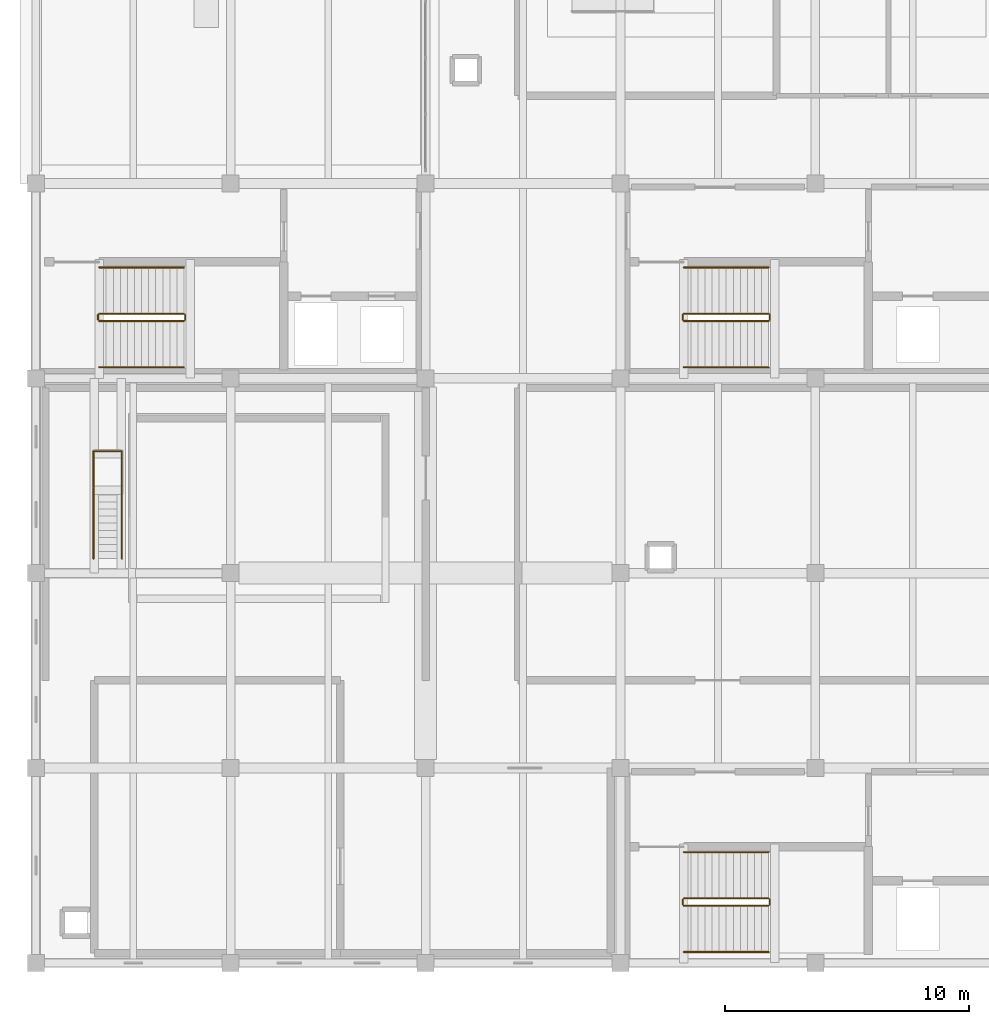
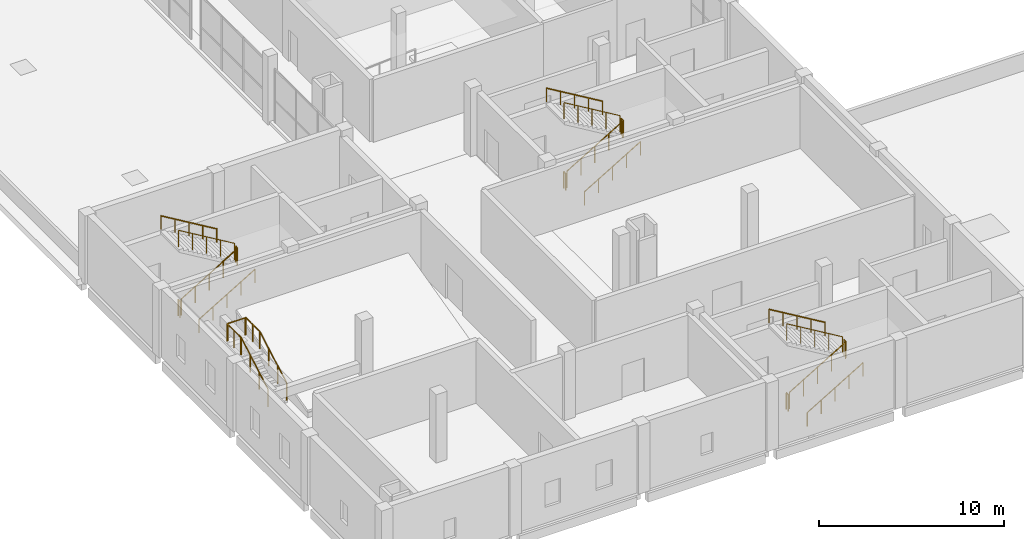
# One storey, part 13 of 14: 23 railings.
"""IFC4 building model written with IfcOpenShell, lengths in metres."""

from ifc_helpers import new_model, si_unit, direction, frame, origin, origin_2d, place, context, subcontext, project, spatial, circle, extrude, material, type_object, element, save


model = new_model("IFC4")

# Units and contexts
model_context = context("Model", 3, precision=1e-05, world=origin(), true_north=direction((0.0, 1.0)))
body_context = subcontext(model_context, "Body", "Model", "MODEL_VIEW")
ifc_project = project(units=[si_unit("LENGTHUNIT", "METRE"), si_unit("AREAUNIT", "SQUARE_METRE"), si_unit("VOLUMEUNIT", "CUBIC_METRE"), si_unit("PLANEANGLEUNIT", "RADIAN"), si_unit("MASSUNIT", "GRAM", prefix="KILO")], contexts=[model_context])

# Site, building, storey
site_placement = place(None, origin())
site = spatial("IfcSite", under=ifc_project, at=site_placement, CompositionType="ELEMENT")
building_placement = place(site_placement, origin())
building = spatial("IfcBuilding", under=site, at=building_placement, Name="Qorikala Patio Media Centre", CompositionType="ELEMENT")
storey_placement = place(building_placement, frame((0.0, 0.0, 23.39990234375)))
storey = spatial("IfcBuildingStorey", under=building, at=storey_placement, Name="L05", CompositionType="ELEMENT", Elevation=23.39990234375)

# Railings
ifc_material_1 = material(Name="Wrought Bronze and Steel S355", Category="steel")
railing_type_1 = type_object("IfcRailingType", Name="RL-GUARD-110", PredefinedType="GUARDRAIL", material=ifc_material_1)
railing_1_placement = place(storey_placement, frame((29.60009765625, 5.35009765625, 0.173095703125)))
element("IfcRailing", 1, at=railing_1_placement, inside=storey, type_object=railing_type_1, Name="L05 ST-1 stair guard 1", PredefinedType="GUARDRAIL", context=body_context, shape_type="SweptSolid", body=[
    extrude(circle(Radius=0.02392578125, at=origin_2d()), frame((0.0, 0.0, 1.076171875), z_axis=(0.858697190188, 0.0, 0.512483302717), x_axis=(0.0, 1.0, 0.0)), (0.0, 0.0, 1.0), 4.052734375),
    extrude(circle(Radius=0.02099609375, at=origin_2d()), origin(), (0.0, 0.0, 1.0), 1.052001953125),
    extrude(circle(Radius=0.02099609375, at=origin_2d()), frame((0.8701171875, 0.0, 0.519287109375)), (0.0, 0.0, 1.0), 1.052001953125),
    extrude(circle(Radius=0.02099609375, at=origin_2d()), frame((1.739990234375, 0.0, 1.03857421875)), (0.0, 0.0, 1.0), 1.052001953125),
    extrude(circle(Radius=0.02099609375, at=origin_2d()), frame((2.60986328125, 0.0, 1.5576171875)), (0.0, 0.0, 1.0), 1.052001953125),
    extrude(circle(Radius=0.02099609375, at=origin_2d()), frame((3.47998046875, 0.0, 2.076904296875)), (0.0, 0.0, 1.0), 1.052001953125),
])
railing_2_placement = place(storey_placement, frame((33.1298828125, 5.39990234375, 2.25)))
element("IfcRailing", 2, at=railing_2_placement, inside=storey, type_object=railing_type_1, Name="L05 ST-1 stair guard 2", PredefinedType="GUARDRAIL", context=body_context, shape_type="SweptSolid", body=[
    extrude(circle(Radius=0.02392578125, at=origin_2d()), frame((0.0, 0.0, 1.076171875), z_axis=(0.0, 1.0, 0.0), x_axis=(-1.0, 0.0, 0.0)), (0.0, 0.0, 1.0), 0.2001953125),
    extrude(circle(Radius=0.02099609375, at=origin_2d()), origin(), (0.0, 0.0, 1.0), 1.052001953125),
    extrude(circle(Radius=0.02099609375, at=origin_2d()), frame((0.0, 0.2001953125, 0.0)), (0.0, 0.0, 1.0), 1.052001953125),
])
railing_3_placement = place(storey_placement, frame((33.080078125, 5.64990234375, 2.423095703125)))
element("IfcRailing", 3, at=railing_3_placement, inside=storey, type_object=railing_type_1, Name="L05 ST-1 stair guard 3", PredefinedType="GUARDRAIL", context=body_context, shape_type="SweptSolid", body=[
    extrude(circle(Radius=0.02392578125, at=origin_2d()), frame((0.0, 0.0, 1.076171875), z_axis=(-0.858697190188, 0.0, 0.512483302717), x_axis=(0.0, -1.0, 0.0)), (0.0, 0.0, 1.0), 4.052734375),
    extrude(circle(Radius=0.02099609375, at=origin_2d()), origin(), (0.0, 0.0, 1.0), 1.052001953125),
    extrude(circle(Radius=0.02099609375, at=origin_2d()), frame((-0.8701171875, 0.0, 0.519287109375)), (0.0, 0.0, 1.0), 1.052001953125),
    extrude(circle(Radius=0.02099609375, at=origin_2d()), frame((-1.739990234375, 0.0, 1.03857421875)), (0.0, 0.0, 1.0), 1.052001953125),
    extrude(circle(Radius=0.02099609375, at=origin_2d()), frame((-2.60986328125, 0.0, 1.5576171875)), (0.0, 0.0, 1.0), 1.052001953125),
    extrude(circle(Radius=0.02099609375, at=origin_2d()), frame((-3.47998046875, 0.0, 2.076904296875)), (0.0, 0.0, 1.0), 1.052001953125),
])
railing_4_placement = place(storey_placement, frame((29.550048828125, 5.39990234375, 0.0)))
element("IfcRailing", 4, at=railing_4_placement, inside=storey, type_object=railing_type_1, Name="L05 ST-1 stair guard 4", PredefinedType="GUARDRAIL", context=body_context, shape_type="SweptSolid", body=[
    extrude(circle(Radius=0.02392578125, at=origin_2d()), frame((0.0, 0.0, 1.076171875), z_axis=(0.0, 1.0, 0.0), x_axis=(-1.0, 0.0, 0.0)), (0.0, 0.0, 1.0), 0.2001953125),
    extrude(circle(Radius=0.02099609375, at=origin_2d()), origin(), (0.0, 0.0, 1.0), 1.052001953125),
    extrude(circle(Radius=0.02099609375, at=origin_2d()), frame((0.0, 0.2001953125, 0.0)), (0.0, 0.0, 1.0), 1.052001953125),
])
railing_5_placement = place(storey_placement, frame((5.60009765625, 29.35009765625, 0.173095703125)))
element("IfcRailing", 5, at=railing_5_placement, inside=storey, type_object=railing_type_1, Name="L05 ST-2 stair guard 1", PredefinedType="GUARDRAIL", context=body_context, shape_type="SweptSolid", body=[
    extrude(circle(Radius=0.02392578125, at=origin_2d()), frame((0.0, 0.0, 1.076171875), z_axis=(0.858697190188, 0.0, 0.512483302717), x_axis=(0.0, 1.0, 0.0)), (0.0, 0.0, 1.0), 4.052734375),
    extrude(circle(Radius=0.02099609375, at=origin_2d()), origin(), (0.0, 0.0, 1.0), 1.052001953125),
    extrude(circle(Radius=0.02099609375, at=origin_2d()), frame((0.8701171875, 0.0, 0.519287109375)), (0.0, 0.0, 1.0), 1.052001953125),
    extrude(circle(Radius=0.02099609375, at=origin_2d()), frame((1.739990234375, 0.0, 1.03857421875)), (0.0, 0.0, 1.0), 1.052001953125),
    extrude(circle(Radius=0.02099609375, at=origin_2d()), frame((2.60986328125, 0.0, 1.5576171875)), (0.0, 0.0, 1.0), 1.052001953125),
    extrude(circle(Radius=0.02099609375, at=origin_2d()), frame((3.47998046875, 0.0, 2.076904296875)), (0.0, 0.0, 1.0), 1.052001953125),
])
railing_6_placement = place(storey_placement, frame((9.1298828125, 29.39990234375, 2.25)))
element("IfcRailing", 6, at=railing_6_placement, inside=storey, type_object=railing_type_1, Name="L05 ST-2 stair guard 2", PredefinedType="GUARDRAIL", context=body_context, shape_type="SweptSolid", body=[
    extrude(circle(Radius=0.02392578125, at=origin_2d()), frame((0.0, 0.0, 1.076171875), z_axis=(0.0, 1.0, 0.0), x_axis=(-1.0, 0.0, 0.0)), (0.0, 0.0, 1.0), 0.2001953125),
    extrude(circle(Radius=0.02099609375, at=origin_2d()), origin(), (0.0, 0.0, 1.0), 1.052001953125),
    extrude(circle(Radius=0.02099609375, at=origin_2d()), frame((0.0, 0.2001953125, 0.0)), (0.0, 0.0, 1.0), 1.052001953125),
])
railing_7_placement = place(storey_placement, frame((9.080078125, 29.64990234375, 2.423095703125)))
element("IfcRailing", 7, at=railing_7_placement, inside=storey, type_object=railing_type_1, Name="L05 ST-2 stair guard 3", PredefinedType="GUARDRAIL", context=body_context, shape_type="SweptSolid", body=[
    extrude(circle(Radius=0.02392578125, at=origin_2d()), frame((0.0, 0.0, 1.076171875), z_axis=(-0.858697190188, 0.0, 0.512483302717), x_axis=(0.0, -1.0, 0.0)), (0.0, 0.0, 1.0), 4.052734375),
    extrude(circle(Radius=0.02099609375, at=origin_2d()), origin(), (0.0, 0.0, 1.0), 1.052001953125),
    extrude(circle(Radius=0.02099609375, at=origin_2d()), frame((-0.8701171875, 0.0, 0.519287109375)), (0.0, 0.0, 1.0), 1.052001953125),
    extrude(circle(Radius=0.02099609375, at=origin_2d()), frame((-1.739990234375, 0.0, 1.03857421875)), (0.0, 0.0, 1.0), 1.052001953125),
    extrude(circle(Radius=0.02099609375, at=origin_2d()), frame((-2.60986328125, 0.0, 1.5576171875)), (0.0, 0.0, 1.0), 1.052001953125),
    extrude(circle(Radius=0.02099609375, at=origin_2d()), frame((-3.47998046875, 0.0, 2.076904296875)), (0.0, 0.0, 1.0), 1.052001953125),
])
railing_8_placement = place(storey_placement, frame((5.550048828125, 29.39990234375, 0.0)))
element("IfcRailing", 8, at=railing_8_placement, inside=storey, type_object=railing_type_1, Name="L05 ST-2 stair guard 4", PredefinedType="GUARDRAIL", context=body_context, shape_type="SweptSolid", body=[
    extrude(circle(Radius=0.02392578125, at=origin_2d()), frame((0.0, 0.0, 1.076171875), z_axis=(0.0, 1.0, 0.0), x_axis=(-1.0, 0.0, 0.0)), (0.0, 0.0, 1.0), 0.2001953125),
    extrude(circle(Radius=0.02099609375, at=origin_2d()), origin(), (0.0, 0.0, 1.0), 1.052001953125),
    extrude(circle(Radius=0.02099609375, at=origin_2d()), frame((0.0, 0.2001953125, 0.0)), (0.0, 0.0, 1.0), 1.052001953125),
])
railing_9_placement = place(storey_placement, frame((29.60009765625, 29.35009765625, 0.173095703125)))
element("IfcRailing", 9, at=railing_9_placement, inside=storey, type_object=railing_type_1, Name="L05 ST-5 stair guard 1", PredefinedType="GUARDRAIL", context=body_context, shape_type="SweptSolid", body=[
    extrude(circle(Radius=0.02392578125, at=origin_2d()), frame((0.0, 0.0, 1.076171875), z_axis=(0.858697190188, 0.0, 0.512483302717), x_axis=(0.0, 1.0, 0.0)), (0.0, 0.0, 1.0), 4.052734375),
    extrude(circle(Radius=0.02099609375, at=origin_2d()), origin(), (0.0, 0.0, 1.0), 1.052001953125),
    extrude(circle(Radius=0.02099609375, at=origin_2d()), frame((0.8701171875, 0.0, 0.519287109375)), (0.0, 0.0, 1.0), 1.052001953125),
    extrude(circle(Radius=0.02099609375, at=origin_2d()), frame((1.739990234375, 0.0, 1.03857421875)), (0.0, 0.0, 1.0), 1.052001953125),
    extrude(circle(Radius=0.02099609375, at=origin_2d()), frame((2.60986328125, 0.0, 1.5576171875)), (0.0, 0.0, 1.0), 1.052001953125),
    extrude(circle(Radius=0.02099609375, at=origin_2d()), frame((3.47998046875, 0.0, 2.076904296875)), (0.0, 0.0, 1.0), 1.052001953125),
])
railing_10_placement = place(storey_placement, frame((33.1298828125, 29.39990234375, 2.25)))
element("IfcRailing", 10, at=railing_10_placement, inside=storey, type_object=railing_type_1, Name="L05 ST-5 stair guard 2", PredefinedType="GUARDRAIL", context=body_context, shape_type="SweptSolid", body=[
    extrude(circle(Radius=0.02392578125, at=origin_2d()), frame((0.0, 0.0, 1.076171875), z_axis=(0.0, 1.0, 0.0), x_axis=(-1.0, 0.0, 0.0)), (0.0, 0.0, 1.0), 0.2001953125),
    extrude(circle(Radius=0.02099609375, at=origin_2d()), origin(), (0.0, 0.0, 1.0), 1.052001953125),
    extrude(circle(Radius=0.02099609375, at=origin_2d()), frame((0.0, 0.2001953125, 0.0)), (0.0, 0.0, 1.0), 1.052001953125),
])
railing_11_placement = place(storey_placement, frame((33.080078125, 29.64990234375, 2.423095703125)))
element("IfcRailing", 11, at=railing_11_placement, inside=storey, type_object=railing_type_1, Name="L05 ST-5 stair guard 3", PredefinedType="GUARDRAIL", context=body_context, shape_type="SweptSolid", body=[
    extrude(circle(Radius=0.02392578125, at=origin_2d()), frame((0.0, 0.0, 1.076171875), z_axis=(-0.858697190188, 0.0, 0.512483302717), x_axis=(0.0, -1.0, 0.0)), (0.0, 0.0, 1.0), 4.052734375),
    extrude(circle(Radius=0.02099609375, at=origin_2d()), origin(), (0.0, 0.0, 1.0), 1.052001953125),
    extrude(circle(Radius=0.02099609375, at=origin_2d()), frame((-0.8701171875, 0.0, 0.519287109375)), (0.0, 0.0, 1.0), 1.052001953125),
    extrude(circle(Radius=0.02099609375, at=origin_2d()), frame((-1.739990234375, 0.0, 1.03857421875)), (0.0, 0.0, 1.0), 1.052001953125),
    extrude(circle(Radius=0.02099609375, at=origin_2d()), frame((-2.60986328125, 0.0, 1.5576171875)), (0.0, 0.0, 1.0), 1.052001953125),
    extrude(circle(Radius=0.02099609375, at=origin_2d()), frame((-3.47998046875, 0.0, 2.076904296875)), (0.0, 0.0, 1.0), 1.052001953125),
])
railing_12_placement = place(storey_placement, frame((29.550048828125, 29.39990234375, 0.0)))
element("IfcRailing", 12, at=railing_12_placement, inside=storey, type_object=railing_type_1, Name="L05 ST-5 stair guard 4", PredefinedType="GUARDRAIL", context=body_context, shape_type="SweptSolid", body=[
    extrude(circle(Radius=0.02392578125, at=origin_2d()), frame((0.0, 0.0, 1.076171875), z_axis=(0.0, 1.0, 0.0), x_axis=(-1.0, 0.0, 0.0)), (0.0, 0.0, 1.0), 0.2001953125),
    extrude(circle(Radius=0.02099609375, at=origin_2d()), origin(), (0.0, 0.0, 1.0), 1.052001953125),
    extrude(circle(Radius=0.02099609375, at=origin_2d()), frame((0.0, 0.2001953125, 0.0)), (0.0, 0.0, 1.0), 1.052001953125),
])
ifc_material_2 = material(Name="Brushed Bronze Tubular Steel S355", Category="steel")
railing_type_2 = type_object("IfcRailingType", Name="RL-HAND-090", PredefinedType="HANDRAIL", material=ifc_material_2)
railing_13_placement = place(storey_placement, frame((29.60009765625, 3.449951171875, 0.173095703125)))
element("IfcRailing", 13, at=railing_13_placement, inside=storey, type_object=railing_type_2, Name="L05 ST-1 stair handrail 1", PredefinedType="HANDRAIL", context=body_context, shape_type="SweptSolid", body=[
    extrude(circle(Radius=0.02392578125, at=origin_2d()), frame((0.0, 0.0, 0.8759765625), z_axis=(0.858697190188, 0.0, 0.512483302717), x_axis=(0.0, 1.0, 0.0)), (0.0, 0.0, 1.0), 4.052734375),
    extrude(circle(Radius=0.02099609375, at=origin_2d()), origin(), (0.0, 0.0, 1.0), 0.851806640625),
    extrude(circle(Radius=0.02099609375, at=origin_2d()), frame((0.8701171875, 0.0, 0.519287109375)), (0.0, 0.0, 1.0), 0.851806640625),
    extrude(circle(Radius=0.02099609375, at=origin_2d()), frame((1.739990234375, 0.0, 1.03857421875)), (0.0, 0.0, 1.0), 0.851806640625),
    extrude(circle(Radius=0.02099609375, at=origin_2d()), frame((2.60986328125, 0.0, 1.5576171875)), (0.0, 0.0, 1.0), 0.851806640625),
    extrude(circle(Radius=0.02099609375, at=origin_2d()), frame((3.47998046875, 0.0, 2.076904296875)), (0.0, 0.0, 1.0), 0.851806640625),
])
railing_14_placement = place(storey_placement, frame((33.080078125, 7.550048828125, 2.423095703125)))
element("IfcRailing", 14, at=railing_14_placement, inside=storey, type_object=railing_type_2, Name="L05 ST-1 stair handrail 2", PredefinedType="HANDRAIL", context=body_context, shape_type="SweptSolid", body=[
    extrude(circle(Radius=0.02392578125, at=origin_2d()), frame((0.0, 0.0, 0.8759765625), z_axis=(-0.858697190188, 0.0, 0.512483302717), x_axis=(0.0, -1.0, 0.0)), (0.0, 0.0, 1.0), 4.052734375),
    extrude(circle(Radius=0.02099609375, at=origin_2d()), origin(), (0.0, 0.0, 1.0), 0.851806640625),
    extrude(circle(Radius=0.02099609375, at=origin_2d()), frame((-0.8701171875, 0.0, 0.519287109375)), (0.0, 0.0, 1.0), 0.851806640625),
    extrude(circle(Radius=0.02099609375, at=origin_2d()), frame((-1.739990234375, 0.0, 1.03857421875)), (0.0, 0.0, 1.0), 0.851806640625),
    extrude(circle(Radius=0.02099609375, at=origin_2d()), frame((-2.60986328125, 0.0, 1.5576171875)), (0.0, 0.0, 1.0), 0.851806640625),
    extrude(circle(Radius=0.02099609375, at=origin_2d()), frame((-3.47998046875, 0.0, 2.076904296875)), (0.0, 0.0, 1.0), 0.851806640625),
])
railing_15_placement = place(storey_placement, frame((5.60009765625, 27.449951171875, 0.173095703125)))
element("IfcRailing", 15, at=railing_15_placement, inside=storey, type_object=railing_type_2, Name="L05 ST-2 stair handrail 1", PredefinedType="HANDRAIL", context=body_context, shape_type="SweptSolid", body=[
    extrude(circle(Radius=0.02392578125, at=origin_2d()), frame((0.0, 0.0, 0.8759765625), z_axis=(0.858697190188, 0.0, 0.512483302717), x_axis=(0.0, 1.0, 0.0)), (0.0, 0.0, 1.0), 4.052734375),
    extrude(circle(Radius=0.02099609375, at=origin_2d()), origin(), (0.0, 0.0, 1.0), 0.851806640625),
    extrude(circle(Radius=0.02099609375, at=origin_2d()), frame((0.8701171875, 0.0, 0.519287109375)), (0.0, 0.0, 1.0), 0.851806640625),
    extrude(circle(Radius=0.02099609375, at=origin_2d()), frame((1.739990234375, 0.0, 1.03857421875)), (0.0, 0.0, 1.0), 0.851806640625),
    extrude(circle(Radius=0.02099609375, at=origin_2d()), frame((2.60986328125, 0.0, 1.5576171875)), (0.0, 0.0, 1.0), 0.851806640625),
    extrude(circle(Radius=0.02099609375, at=origin_2d()), frame((3.47998046875, 0.0, 2.076904296875)), (0.0, 0.0, 1.0), 0.851806640625),
])
railing_16_placement = place(storey_placement, frame((9.080078125, 31.550048828125, 2.423095703125)))
element("IfcRailing", 16, at=railing_16_placement, inside=storey, type_object=railing_type_2, Name="L05 ST-2 stair handrail 2", PredefinedType="HANDRAIL", context=body_context, shape_type="SweptSolid", body=[
    extrude(circle(Radius=0.02392578125, at=origin_2d()), frame((0.0, 0.0, 0.8759765625), z_axis=(-0.858697190188, 0.0, 0.512483302717), x_axis=(0.0, -1.0, 0.0)), (0.0, 0.0, 1.0), 4.052734375),
    extrude(circle(Radius=0.02099609375, at=origin_2d()), origin(), (0.0, 0.0, 1.0), 0.851806640625),
    extrude(circle(Radius=0.02099609375, at=origin_2d()), frame((-0.8701171875, 0.0, 0.519287109375)), (0.0, 0.0, 1.0), 0.851806640625),
    extrude(circle(Radius=0.02099609375, at=origin_2d()), frame((-1.739990234375, 0.0, 1.03857421875)), (0.0, 0.0, 1.0), 0.851806640625),
    extrude(circle(Radius=0.02099609375, at=origin_2d()), frame((-2.60986328125, 0.0, 1.5576171875)), (0.0, 0.0, 1.0), 0.851806640625),
    extrude(circle(Radius=0.02099609375, at=origin_2d()), frame((-3.47998046875, 0.0, 2.076904296875)), (0.0, 0.0, 1.0), 0.851806640625),
])
railing_17_placement = place(storey_placement, frame((29.60009765625, 27.449951171875, 0.173095703125)))
element("IfcRailing", 17, at=railing_17_placement, inside=storey, type_object=railing_type_2, Name="L05 ST-5 stair handrail 1", PredefinedType="HANDRAIL", context=body_context, shape_type="SweptSolid", body=[
    extrude(circle(Radius=0.02392578125, at=origin_2d()), frame((0.0, 0.0, 0.8759765625), z_axis=(0.858697190188, 0.0, 0.512483302717), x_axis=(0.0, 1.0, 0.0)), (0.0, 0.0, 1.0), 4.052734375),
    extrude(circle(Radius=0.02099609375, at=origin_2d()), origin(), (0.0, 0.0, 1.0), 0.851806640625),
    extrude(circle(Radius=0.02099609375, at=origin_2d()), frame((0.8701171875, 0.0, 0.519287109375)), (0.0, 0.0, 1.0), 0.851806640625),
    extrude(circle(Radius=0.02099609375, at=origin_2d()), frame((1.739990234375, 0.0, 1.03857421875)), (0.0, 0.0, 1.0), 0.851806640625),
    extrude(circle(Radius=0.02099609375, at=origin_2d()), frame((2.60986328125, 0.0, 1.5576171875)), (0.0, 0.0, 1.0), 0.851806640625),
    extrude(circle(Radius=0.02099609375, at=origin_2d()), frame((3.47998046875, 0.0, 2.076904296875)), (0.0, 0.0, 1.0), 0.851806640625),
])
railing_18_placement = place(storey_placement, frame((33.080078125, 31.550048828125, 2.423095703125)))
element("IfcRailing", 18, at=railing_18_placement, inside=storey, type_object=railing_type_2, Name="L05 ST-5 stair handrail 2", PredefinedType="HANDRAIL", context=body_context, shape_type="SweptSolid", body=[
    extrude(circle(Radius=0.02392578125, at=origin_2d()), frame((0.0, 0.0, 0.8759765625), z_axis=(-0.858697190188, 0.0, 0.512483302717), x_axis=(0.0, -1.0, 0.0)), (0.0, 0.0, 1.0), 4.052734375),
    extrude(circle(Radius=0.02099609375, at=origin_2d()), origin(), (0.0, 0.0, 1.0), 0.851806640625),
    extrude(circle(Radius=0.02099609375, at=origin_2d()), frame((-0.8701171875, 0.0, 0.519287109375)), (0.0, 0.0, 1.0), 0.851806640625),
    extrude(circle(Radius=0.02099609375, at=origin_2d()), frame((-1.739990234375, 0.0, 1.03857421875)), (0.0, 0.0, 1.0), 0.851806640625),
    extrude(circle(Radius=0.02099609375, at=origin_2d()), frame((-2.60986328125, 0.0, 1.5576171875)), (0.0, 0.0, 1.0), 0.851806640625),
    extrude(circle(Radius=0.02099609375, at=origin_2d()), frame((-3.47998046875, 0.0, 2.076904296875)), (0.0, 0.0, 1.0), 0.851806640625),
])
ifc_material_3 = material(Name="Wrought Bronze Baluster Guardrail")
railing_type_3 = type_object("IfcRailingType", Name="RL-TERR-115", PredefinedType="GUARDRAIL", material=ifc_material_3)
for number, where, name in (
    (19, (5.3701171875, 19.60009765625, 0.163818359375), "Vomitory Stair VS-07 Flight Guard L"),
    (20, (6.530029296875, 19.60009765625, 0.163818359375), "Vomitory Stair VS-07 Flight Guard R"),
):
    element("IfcRailing", number, at=place(storey_placement, frame(where)), inside=storey, type_object=railing_type_3, Name=name, PredefinedType="GUARDRAIL", context=body_context, shape_type="SweptSolid", body=[
        extrude(circle(Radius=0.02392578125, at=origin_2d()), frame((0.0, 0.0, 1.1259765625), z_axis=(0.0, 0.870928581787, 0.491409610636), x_axis=(-1.0, 0.0, 0.0)), (0.0, 0.0, 1.0), 3.32958984375),
        extrude(circle(Radius=0.02099609375, at=origin_2d()), origin(), (0.0, 0.0, 1.0), 1.101806640625),
        extrude(circle(Radius=0.02099609375, at=origin_2d()), frame((0.0, 0.966552734375, 0.54541015625)), (0.0, 0.0, 1.0), 1.101806640625),
        extrude(circle(Radius=0.02099609375, at=origin_2d()), frame((0.0, 1.933349609375, 1.0908203125)), (0.0, 0.0, 1.0), 1.101806640625),
        extrude(circle(Radius=0.02099609375, at=origin_2d()), frame((0.0, 2.89990234375, 1.63623046875)), (0.0, 0.0, 1.0), 1.101806640625),
    ])
railing_19_placement = place(storey_placement, frame((5.3701171875, 22.5400390625, 1.800048828125)))
element("IfcRailing", 21, at=railing_19_placement, inside=storey, type_object=railing_type_3, Name="Vomitory VS-07 Landing Guard W", PredefinedType="GUARDRAIL", context=body_context, shape_type="SweptSolid", body=[
    extrude(circle(Radius=0.02392578125, at=origin_2d()), frame((0.0, 0.0, 1.1259765625), z_axis=(0.0, 1.0, 0.0), x_axis=(-1.0, 0.0, 0.0)), (0.0, 0.0, 1.0), 1.469970703125),
    extrude(circle(Radius=0.02099609375, at=origin_2d()), origin(), (0.0, 0.0, 1.0), 1.101806640625),
    extrude(circle(Radius=0.02099609375, at=origin_2d()), frame((0.0, 0.73486328125, 0.0)), (0.0, 0.0, 1.0), 1.101806640625),
    extrude(circle(Radius=0.02099609375, at=origin_2d()), frame((0.0, 1.469970703125, 0.0)), (0.0, 0.0, 1.0), 1.101806640625),
])
railing_20_placement = place(storey_placement, frame((5.409912109375, 24.010009765625, 1.800048828125)))
element("IfcRailing", 22, at=railing_20_placement, inside=storey, type_object=railing_type_3, Name="Vomitory VS-07 Landing Guard N", PredefinedType="GUARDRAIL", context=body_context, shape_type="SweptSolid", body=[
    extrude(circle(Radius=0.02392578125, at=origin_2d()), frame((0.0, 0.0, 1.1259765625), z_axis=(1.0, 0.0, 0.0), x_axis=(0.0, 1.0, 0.0)), (0.0, 0.0, 1.0), 1.080078125),
    extrude(circle(Radius=0.02099609375, at=origin_2d()), origin(), (0.0, 0.0, 1.0), 1.101806640625),
    extrude(circle(Radius=0.02099609375, at=origin_2d()), frame((1.080078125, 0.0, 0.0)), (0.0, 0.0, 1.0), 1.101806640625),
])
railing_21_placement = place(storey_placement, frame((6.530029296875, 24.010009765625, 1.800048828125)))
element("IfcRailing", 23, at=railing_21_placement, inside=storey, type_object=railing_type_3, Name="Vomitory VS-07 Landing Guard E", PredefinedType="GUARDRAIL", context=body_context, shape_type="SweptSolid", body=[
    extrude(circle(Radius=0.02392578125, at=origin_2d()), frame((0.0, 0.0, 1.1259765625), z_axis=(0.0, -1.0, 0.0), x_axis=(1.0, 0.0, 0.0)), (0.0, 0.0, 1.0), 1.469970703125),
    extrude(circle(Radius=0.02099609375, at=origin_2d()), origin(), (0.0, 0.0, 1.0), 1.101806640625),
    extrude(circle(Radius=0.02099609375, at=origin_2d()), frame((0.0, -0.73486328125, 0.0)), (0.0, 0.0, 1.0), 1.101806640625),
    extrude(circle(Radius=0.02099609375, at=origin_2d()), frame((0.0, -1.469970703125, 0.0)), (0.0, 0.0, 1.0), 1.101806640625),
])

save(model, "model.ifc")
